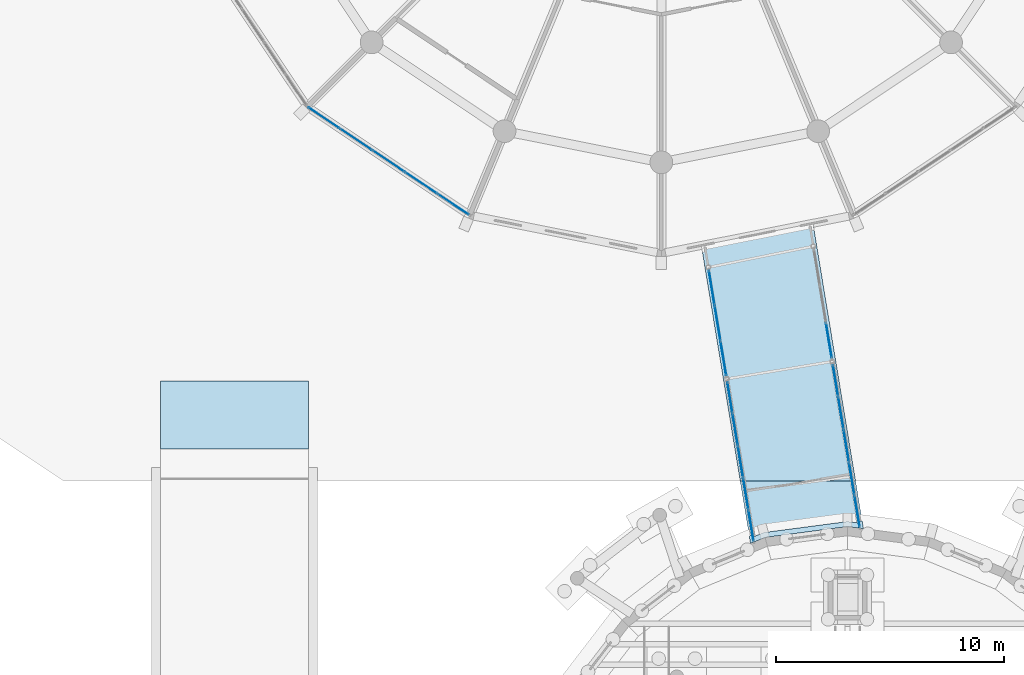
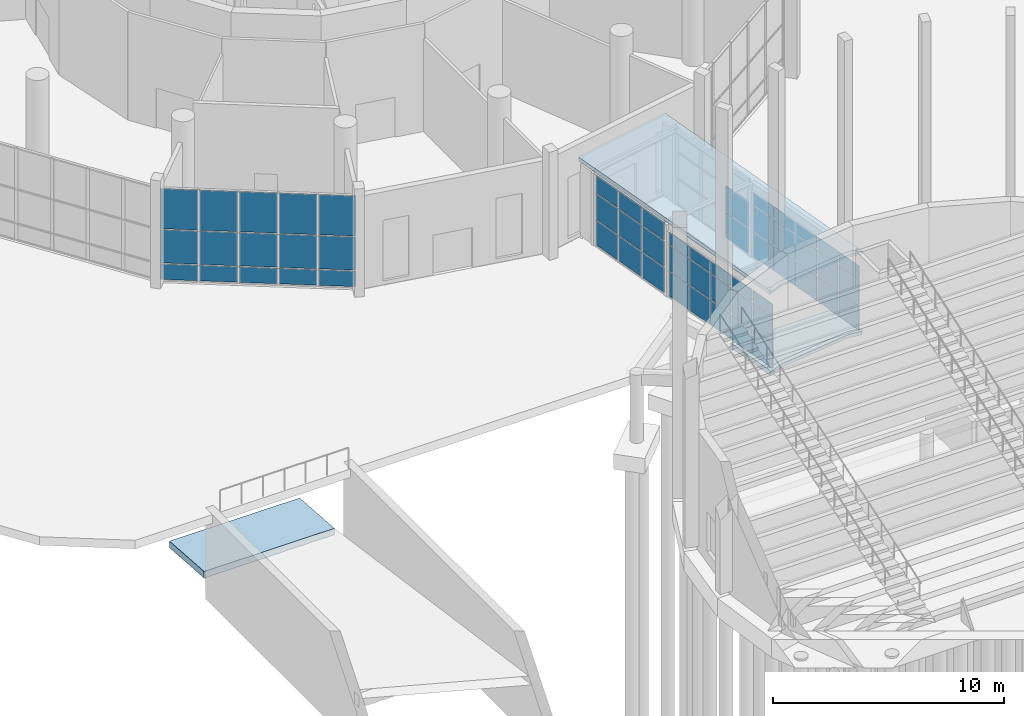
# One storey, part 129 of 226: 58 plates, 3 slabs, 5 elements without a shape of their own.
"""IFC4 building model written with IfcOpenShell, lengths in metres."""

from ifc_helpers import new_model, si_unit, direction, frame, origin, origin_2d, place, context, subcontext, project, spatial, polyline, rectangle, outline, extrude, material, layer, layer_set, type_object, element, aggregate, save


model = new_model("IFC4")

# Units and contexts
model_context = context("Model", 3, precision=1e-05, world=origin(), true_north=direction((0.0, 1.0)))
body_context = subcontext(model_context, "Body", "Model", "MODEL_VIEW")
ifc_project = project(units=[si_unit("LENGTHUNIT", "METRE"), si_unit("AREAUNIT", "SQUARE_METRE"), si_unit("VOLUMEUNIT", "CUBIC_METRE"), si_unit("PLANEANGLEUNIT", "RADIAN"), si_unit("MASSUNIT", "GRAM", prefix="KILO")], contexts=[model_context])

# Site, building, storey
site_placement = place(None, origin())
site = spatial("IfcSite", under=ifc_project, at=site_placement, CompositionType="ELEMENT")
building_placement = place(site_placement, origin())
building = spatial("IfcBuilding", under=site, at=building_placement, Name="Ceibo Conservatory and Research Tower", CompositionType="ELEMENT")
storey_placement = place(building_placement, origin())
storey = spatial("IfcBuildingStorey", under=building, at=storey_placement, Name="L00", CompositionType="ELEMENT", Elevation=0.0)

# Curtain wall, plates
ifc_material_1 = material(Name="Aluminium and glass", Category="aluminium")
curtain_wall_type_1 = type_object("IfcCurtainWallType", Name="Gallery curtain wall", PredefinedType="NOTDEFINED", material=ifc_material_1)
curtain_wall_1_placement = place(storey_placement, origin())
curtain_wall_1 = element("IfcCurtainWall", 1, at=curtain_wall_1_placement, inside=storey, type_object=curtain_wall_type_1, Name="Gallery curtain wall RT-AUD-CWN01", PredefinedType="NOTDEFINED")
ifc_material_2 = material(Name="Laminated glass", Category="glass")
ifc_layer_1 = layer(ifc_material_2, 0.028076171875)
ifc_layer_set_1 = layer_set([ifc_layer_1], Name="Laminated glass")
plate_type_1 = type_object("IfcPlateType", Name="Gallery glass 28", PredefinedType="CURTAIN_PANEL", material=ifc_layer_set_1)
plate_1_placement = place(storey_placement, frame((55.36083984375, 94.1767578125, 0.06005859375), z_axis=(0.0, 0.0, 1.0), x_axis=(0.162895430671, -0.986643339139, 0.0)))
plate_1 = element("IfcPlate", 2, at=plate_1_placement, type_object=plate_type_1, Name="RT-AUD-CWN01 panel 3.1", PredefinedType="CURTAIN_PANEL", context=body_context, shape_type="SweptSolid", body=[
    extrude(rectangle(XDim=1.551513671875, YDim=0.028076171875, at=origin_2d()), origin(), (0.0, 0.0, 1.0), 1.31005859375),
])
plate_2_placement = place(storey_placement, frame((55.36083984375, 94.1767578125, 1.43017578125), z_axis=(0.0, 0.0, 1.0), x_axis=(0.162895430671, -0.986643339139, 0.0)))
plate_2 = element("IfcPlate", 3, at=plate_2_placement, type_object=plate_type_1, Name="RT-AUD-CWN01 panel 3.2", PredefinedType="CURTAIN_PANEL", context=body_context, shape_type="SweptSolid", body=[
    extrude(rectangle(XDim=1.551513671875, YDim=0.028076171875, at=origin_2d()), origin(), (0.0, 0.0, 1.0), 1.340087890625),
])
aggregate(curtain_wall_1, [plate_1, plate_2])

curtain_wall_2_placement = place(storey_placement, origin())
curtain_wall_2 = element("IfcCurtainWall", 4, at=curtain_wall_2_placement, inside=storey, type_object=curtain_wall_type_1, Name="Gallery curtain wall RT-AUD-CWN02", PredefinedType="NOTDEFINED")
plate_3_placement = place(storey_placement, frame((55.651123046875, 92.41748046875, 0.06005859375), z_axis=(0.0, 0.0, 1.0), x_axis=(0.162895430671, -0.986643339139, 0.0)))
plate_3 = element("IfcPlate", 5, at=plate_3_placement, type_object=plate_type_1, Name="RT-AUD-CWN02 panel 1.1", PredefinedType="CURTAIN_PANEL", context=body_context, shape_type="SweptSolid", body=[
    extrude(rectangle(XDim=1.374755859375, YDim=0.028076171875, at=origin_2d()), origin(), (0.0, 0.0, 1.0), 1.31005859375),
])
plate_4_placement = place(storey_placement, frame((55.651123046875, 92.41748046875, 1.43017578125), z_axis=(0.0, 0.0, 1.0), x_axis=(0.162895430671, -0.986643339139, 0.0)))
plate_4 = element("IfcPlate", 6, at=plate_4_placement, type_object=plate_type_1, Name="RT-AUD-CWN02 panel 1.2", PredefinedType="CURTAIN_PANEL", context=body_context, shape_type="SweptSolid", body=[
    extrude(rectangle(XDim=1.374755859375, YDim=0.028076171875, at=origin_2d()), origin(), (0.0, 0.0, 1.0), 1.340087890625),
])
plate_5_placement = place(storey_placement, frame((55.651123046875, 92.41748046875, 2.830078125), z_axis=(0.0, 0.0, 1.0), x_axis=(0.162895430671, -0.986643339139, 0.0)))
plate_5 = element("IfcPlate", 7, at=plate_5_placement, type_object=plate_type_1, Name="RT-AUD-CWN02 panel 1.3", PredefinedType="CURTAIN_PANEL", context=body_context, shape_type="SweptSolid", body=[
    extrude(rectangle(XDim=1.374755859375, YDim=0.028076171875, at=origin_2d()), origin(), (0.0, 0.0, 1.0), 0.610107421875),
])
plate_6_placement = place(storey_placement, frame((55.887451171875, 90.987060546875, 0.06005859375), z_axis=(0.0, 0.0, 1.0), x_axis=(0.162895430671, -0.986643339139, 0.0)))
plate_6 = element("IfcPlate", 8, at=plate_6_placement, type_object=plate_type_1, Name="RT-AUD-CWN02 panel 2.1", PredefinedType="CURTAIN_PANEL", context=body_context, shape_type="SweptSolid", body=[
    extrude(rectangle(XDim=1.40478515625, YDim=0.028076171875, at=origin_2d()), origin(), (0.0, 0.0, 1.0), 1.31005859375),
])
plate_7_placement = place(storey_placement, frame((55.887451171875, 90.987060546875, 1.43017578125), z_axis=(0.0, 0.0, 1.0), x_axis=(0.162895430671, -0.986643339139, 0.0)))
plate_7 = element("IfcPlate", 9, at=plate_7_placement, type_object=plate_type_1, Name="RT-AUD-CWN02 panel 2.2", PredefinedType="CURTAIN_PANEL", context=body_context, shape_type="SweptSolid", body=[
    extrude(rectangle(XDim=1.40478515625, YDim=0.028076171875, at=origin_2d()), origin(), (0.0, 0.0, 1.0), 1.340087890625),
])
plate_8_placement = place(storey_placement, frame((55.887451171875, 90.987060546875, 2.830078125), z_axis=(0.0, 0.0, 1.0), x_axis=(0.162895430671, -0.986643339139, 0.0)))
plate_8 = element("IfcPlate", 10, at=plate_8_placement, type_object=plate_type_1, Name="RT-AUD-CWN02 panel 2.3", PredefinedType="CURTAIN_PANEL", context=body_context, shape_type="SweptSolid", body=[
    extrude(rectangle(XDim=1.40478515625, YDim=0.028076171875, at=origin_2d()), origin(), (0.0, 0.0, 1.0), 0.610107421875),
])
plate_9_placement = place(storey_placement, frame((56.1259765625, 89.541748046875, 0.06005859375), z_axis=(0.0, 0.0, 1.0), x_axis=(0.162895430671, -0.986643339139, 0.0)))
plate_9 = element("IfcPlate", 11, at=plate_9_placement, type_object=plate_type_1, Name="RT-AUD-CWN02 panel 3.1", PredefinedType="CURTAIN_PANEL", context=body_context, shape_type="SweptSolid", body=[
    extrude(rectangle(XDim=1.40478515625, YDim=0.028076171875, at=origin_2d()), origin(), (0.0, 0.0, 1.0), 1.31005859375),
])
plate_10_placement = place(storey_placement, frame((56.1259765625, 89.541748046875, 1.43017578125), z_axis=(0.0, 0.0, 1.0), x_axis=(0.162895430671, -0.986643339139, 0.0)))
plate_10 = element("IfcPlate", 12, at=plate_10_placement, type_object=plate_type_1, Name="RT-AUD-CWN02 panel 3.2", PredefinedType="CURTAIN_PANEL", context=body_context, shape_type="SweptSolid", body=[
    extrude(rectangle(XDim=1.40478515625, YDim=0.028076171875, at=origin_2d()), origin(), (0.0, 0.0, 1.0), 1.340087890625),
])
plate_11_placement = place(storey_placement, frame((56.1259765625, 89.541748046875, 2.830078125), z_axis=(0.0, 0.0, 1.0), x_axis=(0.162895430671, -0.986643339139, 0.0)))
plate_11 = element("IfcPlate", 13, at=plate_11_placement, type_object=plate_type_1, Name="RT-AUD-CWN02 panel 3.3", PredefinedType="CURTAIN_PANEL", context=body_context, shape_type="SweptSolid", body=[
    extrude(rectangle(XDim=1.40478515625, YDim=0.028076171875, at=origin_2d()), origin(), (0.0, 0.0, 1.0), 0.610107421875),
])
plate_12_placement = place(storey_placement, frame((56.36474609375, 88.096435546875, 0.06005859375), z_axis=(0.0, 0.0, 1.0), x_axis=(0.162895430671, -0.986643339139, 0.0)))
plate_12 = element("IfcPlate", 14, at=plate_12_placement, type_object=plate_type_1, Name="RT-AUD-CWN02 panel 4.1", PredefinedType="CURTAIN_PANEL", context=body_context, shape_type="SweptSolid", body=[
    extrude(rectangle(XDim=1.40478515625, YDim=0.028076171875, at=origin_2d()), origin(), (0.0, 0.0, 1.0), 1.31005859375),
])
plate_13_placement = place(storey_placement, frame((56.36474609375, 88.096435546875, 1.43017578125), z_axis=(0.0, 0.0, 1.0), x_axis=(0.162895430671, -0.986643339139, 0.0)))
plate_13 = element("IfcPlate", 15, at=plate_13_placement, type_object=plate_type_1, Name="RT-AUD-CWN02 panel 4.2", PredefinedType="CURTAIN_PANEL", context=body_context, shape_type="SweptSolid", body=[
    extrude(rectangle(XDim=1.40478515625, YDim=0.028076171875, at=origin_2d()), origin(), (0.0, 0.0, 1.0), 1.340087890625),
])
plate_14_placement = place(storey_placement, frame((56.36474609375, 88.096435546875, 2.830078125), z_axis=(0.0, 0.0, 1.0), x_axis=(0.162895430671, -0.986643339139, 0.0)))
plate_14 = element("IfcPlate", 16, at=plate_14_placement, type_object=plate_type_1, Name="RT-AUD-CWN02 panel 4.3", PredefinedType="CURTAIN_PANEL", context=body_context, shape_type="SweptSolid", body=[
    extrude(rectangle(XDim=1.40478515625, YDim=0.028076171875, at=origin_2d()), origin(), (0.0, 0.0, 1.0), 0.610107421875),
])
plate_15_placement = place(storey_placement, frame((56.600830078125, 86.666015625, 0.06005859375), z_axis=(0.0, 0.0, 1.0), x_axis=(0.162895430671, -0.986643339139, 0.0)))
plate_15 = element("IfcPlate", 17, at=plate_15_placement, type_object=plate_type_1, Name="RT-AUD-CWN02 panel 5.1", PredefinedType="CURTAIN_PANEL", context=body_context, shape_type="SweptSolid", body=[
    extrude(rectangle(XDim=1.374755859375, YDim=0.028076171875, at=origin_2d()), origin(), (0.0, 0.0, 1.0), 1.31005859375),
])
plate_16_placement = place(storey_placement, frame((56.600830078125, 86.666015625, 1.43017578125), z_axis=(0.0, 0.0, 1.0), x_axis=(0.162895430671, -0.986643339139, 0.0)))
plate_16 = element("IfcPlate", 18, at=plate_16_placement, type_object=plate_type_1, Name="RT-AUD-CWN02 panel 5.2", PredefinedType="CURTAIN_PANEL", context=body_context, shape_type="SweptSolid", body=[
    extrude(rectangle(XDim=1.374755859375, YDim=0.028076171875, at=origin_2d()), origin(), (0.0, 0.0, 1.0), 1.340087890625),
])
plate_17_placement = place(storey_placement, frame((56.600830078125, 86.666015625, 2.830078125), z_axis=(0.0, 0.0, 1.0), x_axis=(0.162895430671, -0.986643339139, 0.0)))
plate_17 = element("IfcPlate", 19, at=plate_17_placement, type_object=plate_type_1, Name="RT-AUD-CWN02 panel 5.3", PredefinedType="CURTAIN_PANEL", context=body_context, shape_type="SweptSolid", body=[
    extrude(rectangle(XDim=1.374755859375, YDim=0.028076171875, at=origin_2d()), origin(), (0.0, 0.0, 1.0), 0.610107421875),
])
aggregate(curtain_wall_2, [plate_3, plate_4, plate_5, plate_6, plate_7, plate_8, plate_9, plate_10, plate_11, plate_12, plate_13, plate_14, plate_15, plate_16, plate_17])

curtain_wall_3_placement = place(storey_placement, origin())
curtain_wall_3 = element("IfcCurtainWall", 20, at=curtain_wall_3_placement, inside=storey, type_object=curtain_wall_type_1, Name="Gallery curtain wall RT-AUD-CWS01", PredefinedType="NOTDEFINED")
plate_18_placement = place(storey_placement, frame((50.214599609375, 96.494384765625, 0.06005859375), z_axis=(0.0, 0.0, 1.0), x_axis=(0.162895430671, -0.986643339139, 0.0)))
plate_18 = element("IfcPlate", 21, at=plate_18_placement, type_object=plate_type_1, Name="RT-AUD-CWS01 panel 1.1", PredefinedType="CURTAIN_PANEL", context=body_context, shape_type="SweptSolid", body=[
    extrude(rectangle(XDim=1.499755859375, YDim=0.028076171875, at=origin_2d()), origin(), (0.0, 0.0, 1.0), 1.31005859375),
])
plate_19_placement = place(storey_placement, frame((50.214599609375, 96.494384765625, 1.43017578125), z_axis=(0.0, 0.0, 1.0), x_axis=(0.162895430671, -0.986643339139, 0.0)))
plate_19 = element("IfcPlate", 22, at=plate_19_placement, type_object=plate_type_1, Name="RT-AUD-CWS01 panel 1.2", PredefinedType="CURTAIN_PANEL", context=body_context, shape_type="SweptSolid", body=[
    extrude(rectangle(XDim=1.499755859375, YDim=0.028076171875, at=origin_2d()), origin(), (0.0, 0.0, 1.0), 1.340087890625),
])
plate_20_placement = place(storey_placement, frame((50.214599609375, 96.494384765625, 2.830078125), z_axis=(0.0, 0.0, 1.0), x_axis=(0.162895430671, -0.986643339139, 0.0)))
plate_20 = element("IfcPlate", 23, at=plate_20_placement, type_object=plate_type_1, Name="RT-AUD-CWS01 panel 1.3", PredefinedType="CURTAIN_PANEL", context=body_context, shape_type="SweptSolid", body=[
    extrude(rectangle(XDim=1.499755859375, YDim=0.028076171875, at=origin_2d()), origin(), (0.0, 0.0, 1.0), 0.909912109375),
])
plate_21_placement = place(storey_placement, frame((50.470947265625, 94.940673828125, 0.06005859375), z_axis=(0.0, 0.0, 1.0), x_axis=(0.162895430671, -0.986643339139, 0.0)))
plate_21 = element("IfcPlate", 24, at=plate_21_placement, type_object=plate_type_1, Name="RT-AUD-CWS01 panel 2.1", PredefinedType="CURTAIN_PANEL", context=body_context, shape_type="SweptSolid", body=[
    extrude(rectangle(XDim=1.52978515625, YDim=0.028076171875, at=origin_2d()), origin(), (0.0, 0.0, 1.0), 1.31005859375),
])
plate_22_placement = place(storey_placement, frame((50.470947265625, 94.940673828125, 1.43017578125), z_axis=(0.0, 0.0, 1.0), x_axis=(0.162895430671, -0.986643339139, 0.0)))
plate_22 = element("IfcPlate", 25, at=plate_22_placement, type_object=plate_type_1, Name="RT-AUD-CWS01 panel 2.2", PredefinedType="CURTAIN_PANEL", context=body_context, shape_type="SweptSolid", body=[
    extrude(rectangle(XDim=1.52978515625, YDim=0.028076171875, at=origin_2d()), origin(), (0.0, 0.0, 1.0), 1.340087890625),
])
plate_23_placement = place(storey_placement, frame((50.470947265625, 94.940673828125, 2.830078125), z_axis=(0.0, 0.0, 1.0), x_axis=(0.162895430671, -0.986643339139, 0.0)))
plate_23 = element("IfcPlate", 26, at=plate_23_placement, type_object=plate_type_1, Name="RT-AUD-CWS01 panel 2.3", PredefinedType="CURTAIN_PANEL", context=body_context, shape_type="SweptSolid", body=[
    extrude(rectangle(XDim=1.52978515625, YDim=0.028076171875, at=origin_2d()), origin(), (0.0, 0.0, 1.0), 0.909912109375),
])
plate_24_placement = place(storey_placement, frame((50.7275390625, 93.386962890625, 0.06005859375), z_axis=(0.0, 0.0, 1.0), x_axis=(0.162895430671, -0.986643339139, 0.0)))
plate_24 = element("IfcPlate", 27, at=plate_24_placement, type_object=plate_type_1, Name="RT-AUD-CWS01 panel 3.1", PredefinedType="CURTAIN_PANEL", context=body_context, shape_type="SweptSolid", body=[
    extrude(rectangle(XDim=1.499755859375, YDim=0.028076171875, at=origin_2d()), origin(), (0.0, 0.0, 1.0), 1.31005859375),
])
plate_25_placement = place(storey_placement, frame((50.7275390625, 93.386962890625, 1.43017578125), z_axis=(0.0, 0.0, 1.0), x_axis=(0.162895430671, -0.986643339139, 0.0)))
plate_25 = element("IfcPlate", 28, at=plate_25_placement, type_object=plate_type_1, Name="RT-AUD-CWS01 panel 3.2", PredefinedType="CURTAIN_PANEL", context=body_context, shape_type="SweptSolid", body=[
    extrude(rectangle(XDim=1.499755859375, YDim=0.028076171875, at=origin_2d()), origin(), (0.0, 0.0, 1.0), 1.340087890625),
])
plate_26_placement = place(storey_placement, frame((50.7275390625, 93.386962890625, 2.830078125), z_axis=(0.0, 0.0, 1.0), x_axis=(0.162895430671, -0.986643339139, 0.0)))
plate_26 = element("IfcPlate", 29, at=plate_26_placement, type_object=plate_type_1, Name="RT-AUD-CWS01 panel 3.3", PredefinedType="CURTAIN_PANEL", context=body_context, shape_type="SweptSolid", body=[
    extrude(rectangle(XDim=1.499755859375, YDim=0.028076171875, at=origin_2d()), origin(), (0.0, 0.0, 1.0), 0.909912109375),
])
aggregate(curtain_wall_3, [plate_18, plate_19, plate_20, plate_21, plate_22, plate_23, plate_24, plate_25, plate_26])

curtain_wall_4_placement = place(storey_placement, origin())
curtain_wall_4 = element("IfcCurtainWall", 30, at=curtain_wall_4_placement, inside=storey, type_object=curtain_wall_type_1, Name="Gallery curtain wall RT-AUD-CWS02", PredefinedType="NOTDEFINED")
plate_27_placement = place(storey_placement, frame((51.01123046875, 91.66845703125, 0.06005859375), z_axis=(0.0, 0.0, 1.0), x_axis=(0.162895430671, -0.986643339139, 0.0)))
plate_27 = element("IfcPlate", 31, at=plate_27_placement, type_object=plate_type_1, Name="RT-AUD-CWS02 panel 1.1", PredefinedType="CURTAIN_PANEL", context=body_context, shape_type="SweptSolid", body=[
    extrude(rectangle(XDim=1.34375, YDim=0.028076171875, at=origin_2d()), origin(), (0.0, 0.0, 1.0), 1.31005859375),
])
plate_28_placement = place(storey_placement, frame((51.01123046875, 91.66845703125, 1.43017578125), z_axis=(0.0, 0.0, 1.0), x_axis=(0.162895430671, -0.986643339139, 0.0)))
plate_28 = element("IfcPlate", 32, at=plate_28_placement, type_object=plate_type_1, Name="RT-AUD-CWS02 panel 1.2", PredefinedType="CURTAIN_PANEL", context=body_context, shape_type="SweptSolid", body=[
    extrude(rectangle(XDim=1.34375, YDim=0.028076171875, at=origin_2d()), origin(), (0.0, 0.0, 1.0), 1.340087890625),
])
plate_29_placement = place(storey_placement, frame((51.01123046875, 91.66845703125, 2.830078125), z_axis=(0.0, 0.0, 1.0), x_axis=(0.162895430671, -0.986643339139, 0.0)))
plate_29 = element("IfcPlate", 33, at=plate_29_placement, type_object=plate_type_1, Name="RT-AUD-CWS02 panel 1.3", PredefinedType="CURTAIN_PANEL", context=body_context, shape_type="SweptSolid", body=[
    extrude(rectangle(XDim=1.34375, YDim=0.028076171875, at=origin_2d()), origin(), (0.0, 0.0, 1.0), 0.610107421875),
])
plate_30_placement = place(storey_placement, frame((51.242431640625, 90.2685546875, 0.06005859375), z_axis=(0.0, 0.0, 1.0), x_axis=(0.162895430671, -0.986643339139, 0.0)))
plate_30 = element("IfcPlate", 34, at=plate_30_placement, type_object=plate_type_1, Name="RT-AUD-CWS02 panel 2.1", PredefinedType="CURTAIN_PANEL", context=body_context, shape_type="SweptSolid", body=[
    extrude(rectangle(XDim=1.373779296875, YDim=0.028076171875, at=origin_2d()), origin(), (0.0, 0.0, 1.0), 1.31005859375),
])
plate_31_placement = place(storey_placement, frame((51.242431640625, 90.2685546875, 1.43017578125), z_axis=(0.0, 0.0, 1.0), x_axis=(0.162895430671, -0.986643339139, 0.0)))
plate_31 = element("IfcPlate", 35, at=plate_31_placement, type_object=plate_type_1, Name="RT-AUD-CWS02 panel 2.2", PredefinedType="CURTAIN_PANEL", context=body_context, shape_type="SweptSolid", body=[
    extrude(rectangle(XDim=1.373779296875, YDim=0.028076171875, at=origin_2d()), origin(), (0.0, 0.0, 1.0), 1.340087890625),
])
plate_32_placement = place(storey_placement, frame((51.242431640625, 90.2685546875, 2.830078125), z_axis=(0.0, 0.0, 1.0), x_axis=(0.162895430671, -0.986643339139, 0.0)))
plate_32 = element("IfcPlate", 36, at=plate_32_placement, type_object=plate_type_1, Name="RT-AUD-CWS02 panel 2.3", PredefinedType="CURTAIN_PANEL", context=body_context, shape_type="SweptSolid", body=[
    extrude(rectangle(XDim=1.373779296875, YDim=0.028076171875, at=origin_2d()), origin(), (0.0, 0.0, 1.0), 0.610107421875),
])
plate_33_placement = place(storey_placement, frame((51.47607421875, 88.85400390625, 0.06005859375), z_axis=(0.0, 0.0, 1.0), x_axis=(0.162895430671, -0.986643339139, 0.0)))
plate_33 = element("IfcPlate", 37, at=plate_33_placement, type_object=plate_type_1, Name="RT-AUD-CWS02 panel 3.1", PredefinedType="CURTAIN_PANEL", context=body_context, shape_type="SweptSolid", body=[
    extrude(rectangle(XDim=1.373779296875, YDim=0.028076171875, at=origin_2d()), origin(), (0.0, 0.0, 1.0), 1.31005859375),
])
plate_34_placement = place(storey_placement, frame((51.47607421875, 88.85400390625, 1.43017578125), z_axis=(0.0, 0.0, 1.0), x_axis=(0.162895430671, -0.986643339139, 0.0)))
plate_34 = element("IfcPlate", 38, at=plate_34_placement, type_object=plate_type_1, Name="RT-AUD-CWS02 panel 3.2", PredefinedType="CURTAIN_PANEL", context=body_context, shape_type="SweptSolid", body=[
    extrude(rectangle(XDim=1.373779296875, YDim=0.028076171875, at=origin_2d()), origin(), (0.0, 0.0, 1.0), 1.340087890625),
])
plate_35_placement = place(storey_placement, frame((51.47607421875, 88.85400390625, 2.830078125), z_axis=(0.0, 0.0, 1.0), x_axis=(0.162895430671, -0.986643339139, 0.0)))
plate_35 = element("IfcPlate", 39, at=plate_35_placement, type_object=plate_type_1, Name="RT-AUD-CWS02 panel 3.3", PredefinedType="CURTAIN_PANEL", context=body_context, shape_type="SweptSolid", body=[
    extrude(rectangle(XDim=1.373779296875, YDim=0.028076171875, at=origin_2d()), origin(), (0.0, 0.0, 1.0), 0.610107421875),
])
plate_36_placement = place(storey_placement, frame((51.70947265625, 87.439208984375, 0.06005859375), z_axis=(0.0, 0.0, 1.0), x_axis=(0.162895430671, -0.986643339139, 0.0)))
plate_36 = element("IfcPlate", 40, at=plate_36_placement, type_object=plate_type_1, Name="RT-AUD-CWS02 panel 4.1", PredefinedType="CURTAIN_PANEL", context=body_context, shape_type="SweptSolid", body=[
    extrude(rectangle(XDim=1.373779296875, YDim=0.028076171875, at=origin_2d()), origin(), (0.0, 0.0, 1.0), 1.31005859375),
])
plate_37_placement = place(storey_placement, frame((51.70947265625, 87.439208984375, 1.43017578125), z_axis=(0.0, 0.0, 1.0), x_axis=(0.162895430671, -0.986643339139, 0.0)))
plate_37 = element("IfcPlate", 41, at=plate_37_placement, type_object=plate_type_1, Name="RT-AUD-CWS02 panel 4.2", PredefinedType="CURTAIN_PANEL", context=body_context, shape_type="SweptSolid", body=[
    extrude(rectangle(XDim=1.373779296875, YDim=0.028076171875, at=origin_2d()), origin(), (0.0, 0.0, 1.0), 1.340087890625),
])
plate_38_placement = place(storey_placement, frame((51.70947265625, 87.439208984375, 2.830078125), z_axis=(0.0, 0.0, 1.0), x_axis=(0.162895430671, -0.986643339139, 0.0)))
plate_38 = element("IfcPlate", 42, at=plate_38_placement, type_object=plate_type_1, Name="RT-AUD-CWS02 panel 4.3", PredefinedType="CURTAIN_PANEL", context=body_context, shape_type="SweptSolid", body=[
    extrude(rectangle(XDim=1.373779296875, YDim=0.028076171875, at=origin_2d()), origin(), (0.0, 0.0, 1.0), 0.610107421875),
])
plate_39_placement = place(storey_placement, frame((51.940673828125, 86.039306640625, 0.06005859375), z_axis=(0.0, 0.0, 1.0), x_axis=(0.162895430671, -0.986643339139, 0.0)))
plate_39 = element("IfcPlate", 43, at=plate_39_placement, type_object=plate_type_1, Name="RT-AUD-CWS02 panel 5.1", PredefinedType="CURTAIN_PANEL", context=body_context, shape_type="SweptSolid", body=[
    extrude(rectangle(XDim=1.34375, YDim=0.028076171875, at=origin_2d()), origin(), (0.0, 0.0, 1.0), 1.31005859375),
])
plate_40_placement = place(storey_placement, frame((51.940673828125, 86.039306640625, 1.43017578125), z_axis=(0.0, 0.0, 1.0), x_axis=(0.162895430671, -0.986643339139, 0.0)))
plate_40 = element("IfcPlate", 44, at=plate_40_placement, type_object=plate_type_1, Name="RT-AUD-CWS02 panel 5.2", PredefinedType="CURTAIN_PANEL", context=body_context, shape_type="SweptSolid", body=[
    extrude(rectangle(XDim=1.34375, YDim=0.028076171875, at=origin_2d()), origin(), (0.0, 0.0, 1.0), 1.340087890625),
])
plate_41_placement = place(storey_placement, frame((51.940673828125, 86.039306640625, 2.830078125), z_axis=(0.0, 0.0, 1.0), x_axis=(0.162895430671, -0.986643339139, 0.0)))
plate_41 = element("IfcPlate", 45, at=plate_41_placement, type_object=plate_type_1, Name="RT-AUD-CWS02 panel 5.3", PredefinedType="CURTAIN_PANEL", context=body_context, shape_type="SweptSolid", body=[
    extrude(rectangle(XDim=1.34375, YDim=0.028076171875, at=origin_2d()), origin(), (0.0, 0.0, 1.0), 0.610107421875),
])
aggregate(curtain_wall_4, [plate_27, plate_28, plate_29, plate_30, plate_31, plate_32, plate_33, plate_34, plate_35, plate_36, plate_37, plate_38, plate_39, plate_40, plate_41])

curtain_wall_type_2 = type_object("IfcCurtainWallType", Name="Curtain wall CW1", PredefinedType="NOTDEFINED", material=ifc_material_1)
curtain_wall_5_placement = place(storey_placement, origin())
curtain_wall_5 = element("IfcCurtainWall", 46, at=curtain_wall_5_placement, inside=storey, type_object=curtain_wall_type_2, Name="CW-00.11", PredefinedType="NOTDEFINED")
ifc_material_3 = material(Name="Glass", Category="glass")
ifc_layer_2 = layer(ifc_material_3, 0.028076171875)
ifc_layer_set_2 = layer_set([ifc_layer_2], Name="Glass")
plate_type_2 = type_object("IfcPlateType", Name="Insulated glass panel 28", PredefinedType="CURTAIN_PANEL", material=ifc_layer_set_2)
plate_42_placement = place(storey_placement, frame((33.169921875, 103.95849609375, 0.06005859375), z_axis=(0.0, 0.0, 1.0), x_axis=(0.831469562724, -0.555570307219, 0.0)))
plate_42 = element("IfcPlate", 47, at=plate_42_placement, type_object=plate_type_2, Name="CW-00.11 panel 1.1", PredefinedType="CURTAIN_PANEL", context=body_context, shape_type="SweptSolid", body=[
    extrude(rectangle(XDim=1.626708984375, YDim=0.028076171875, at=origin_2d()), origin(), (0.0, 0.0, 1.0), 0.81005859375),
])
plate_43_placement = place(storey_placement, frame((33.169921875, 103.95849609375, 0.93017578125), z_axis=(0.0, 0.0, 1.0), x_axis=(0.831469562724, -0.555570307219, 0.0)))
plate_43 = element("IfcPlate", 48, at=plate_43_placement, type_object=plate_type_2, Name="CW-00.11 panel 1.2", PredefinedType="CURTAIN_PANEL", context=body_context, shape_type="SweptSolid", body=[
    extrude(rectangle(XDim=1.626708984375, YDim=0.028076171875, at=origin_2d()), origin(), (0.0, 0.0, 1.0), 1.739990234375),
])
plate_44_placement = place(storey_placement, frame((33.169921875, 103.95849609375, 2.72998046875), z_axis=(0.0, 0.0, 1.0), x_axis=(0.831469562724, -0.555570307219, 0.0)))
plate_44 = element("IfcPlate", 49, at=plate_44_placement, type_object=plate_type_2, Name="CW-00.11 panel 1.3", PredefinedType="CURTAIN_PANEL", context=body_context, shape_type="SweptSolid", body=[
    extrude(rectangle(XDim=1.626708984375, YDim=0.028076171875, at=origin_2d()), origin(), (0.0, 0.0, 1.0), 2.110107421875),
])
plate_45_placement = place(storey_placement, frame((34.5849609375, 103.012939453125, 0.06005859375), z_axis=(0.0, 0.0, 1.0), x_axis=(0.831469562724, -0.555570307219, 0.0)))
plate_45 = element("IfcPlate", 50, at=plate_45_placement, type_object=plate_type_2, Name="CW-00.11 panel 2.1", PredefinedType="CURTAIN_PANEL", context=body_context, shape_type="SweptSolid", body=[
    extrude(rectangle(XDim=1.65673828125, YDim=0.028076171875, at=origin_2d()), origin(), (0.0, 0.0, 1.0), 0.81005859375),
])
plate_46_placement = place(storey_placement, frame((34.5849609375, 103.012939453125, 0.93017578125), z_axis=(0.0, 0.0, 1.0), x_axis=(0.831469562724, -0.555570307219, 0.0)))
plate_46 = element("IfcPlate", 51, at=plate_46_placement, type_object=plate_type_2, Name="CW-00.11 panel 2.2", PredefinedType="CURTAIN_PANEL", context=body_context, shape_type="SweptSolid", body=[
    extrude(rectangle(XDim=1.65673828125, YDim=0.028076171875, at=origin_2d()), origin(), (0.0, 0.0, 1.0), 1.739990234375),
])
plate_47_placement = place(storey_placement, frame((34.5849609375, 103.012939453125, 2.72998046875), z_axis=(0.0, 0.0, 1.0), x_axis=(0.831469562724, -0.555570307219, 0.0)))
plate_47 = element("IfcPlate", 52, at=plate_47_placement, type_object=plate_type_2, Name="CW-00.11 panel 2.3", PredefinedType="CURTAIN_PANEL", context=body_context, shape_type="SweptSolid", body=[
    extrude(rectangle(XDim=1.65673828125, YDim=0.028076171875, at=origin_2d()), origin(), (0.0, 0.0, 1.0), 2.110107421875),
])
plate_48_placement = place(storey_placement, frame((36.01220703125, 102.05908203125, 0.06005859375), z_axis=(0.0, 0.0, 1.0), x_axis=(0.831469562724, -0.555570307219, 0.0)))
plate_48 = element("IfcPlate", 53, at=plate_48_placement, type_object=plate_type_2, Name="CW-00.11 panel 3.1", PredefinedType="CURTAIN_PANEL", context=body_context, shape_type="SweptSolid", body=[
    extrude(rectangle(XDim=1.65673828125, YDim=0.028076171875, at=origin_2d()), origin(), (0.0, 0.0, 1.0), 0.81005859375),
])
plate_49_placement = place(storey_placement, frame((36.01220703125, 102.05908203125, 0.93017578125), z_axis=(0.0, 0.0, 1.0), x_axis=(0.831469562724, -0.555570307219, 0.0)))
plate_49 = element("IfcPlate", 54, at=plate_49_placement, type_object=plate_type_2, Name="CW-00.11 panel 3.2", PredefinedType="CURTAIN_PANEL", context=body_context, shape_type="SweptSolid", body=[
    extrude(rectangle(XDim=1.65673828125, YDim=0.028076171875, at=origin_2d()), origin(), (0.0, 0.0, 1.0), 1.739990234375),
])
plate_50_placement = place(storey_placement, frame((36.01220703125, 102.05908203125, 2.72998046875), z_axis=(0.0, 0.0, 1.0), x_axis=(0.831469562724, -0.555570307219, 0.0)))
plate_50 = element("IfcPlate", 55, at=plate_50_placement, type_object=plate_type_2, Name="CW-00.11 panel 3.3", PredefinedType="CURTAIN_PANEL", context=body_context, shape_type="SweptSolid", body=[
    extrude(rectangle(XDim=1.65673828125, YDim=0.028076171875, at=origin_2d()), origin(), (0.0, 0.0, 1.0), 2.110107421875),
])
plate_51_placement = place(storey_placement, frame((37.439697265625, 101.10546875, 0.06005859375), z_axis=(0.0, 0.0, 1.0), x_axis=(0.831469562724, -0.555570307219, 0.0)))
plate_51 = element("IfcPlate", 56, at=plate_51_placement, type_object=plate_type_2, Name="CW-00.11 panel 4.1", PredefinedType="CURTAIN_PANEL", context=body_context, shape_type="SweptSolid", body=[
    extrude(rectangle(XDim=1.65673828125, YDim=0.028076171875, at=origin_2d()), origin(), (0.0, 0.0, 1.0), 0.81005859375),
])
plate_52_placement = place(storey_placement, frame((37.439697265625, 101.10546875, 0.93017578125), z_axis=(0.0, 0.0, 1.0), x_axis=(0.831469562724, -0.555570307219, 0.0)))
plate_52 = element("IfcPlate", 57, at=plate_52_placement, type_object=plate_type_2, Name="CW-00.11 panel 4.2", PredefinedType="CURTAIN_PANEL", context=body_context, shape_type="SweptSolid", body=[
    extrude(rectangle(XDim=1.65673828125, YDim=0.028076171875, at=origin_2d()), origin(), (0.0, 0.0, 1.0), 1.739990234375),
])
plate_53_placement = place(storey_placement, frame((37.439697265625, 101.10546875, 2.72998046875), z_axis=(0.0, 0.0, 1.0), x_axis=(0.831469562724, -0.555570307219, 0.0)))
plate_53 = element("IfcPlate", 58, at=plate_53_placement, type_object=plate_type_2, Name="CW-00.11 panel 4.3", PredefinedType="CURTAIN_PANEL", context=body_context, shape_type="SweptSolid", body=[
    extrude(rectangle(XDim=1.65673828125, YDim=0.028076171875, at=origin_2d()), origin(), (0.0, 0.0, 1.0), 2.110107421875),
])
plate_54_placement = place(storey_placement, frame((38.854736328125, 100.159912109375, 0.06005859375), z_axis=(0.0, 0.0, 1.0), x_axis=(0.831469562724, -0.555570307219, 0.0)))
plate_54 = element("IfcPlate", 59, at=plate_54_placement, type_object=plate_type_2, Name="CW-00.11 panel 5.1", PredefinedType="CURTAIN_PANEL", context=body_context, shape_type="SweptSolid", body=[
    extrude(rectangle(XDim=1.626708984375, YDim=0.028076171875, at=origin_2d()), origin(), (0.0, 0.0, 1.0), 0.81005859375),
])
plate_55_placement = place(storey_placement, frame((38.854736328125, 100.159912109375, 0.93017578125), z_axis=(0.0, 0.0, 1.0), x_axis=(0.831469562724, -0.555570307219, 0.0)))
plate_55 = element("IfcPlate", 60, at=plate_55_placement, type_object=plate_type_2, Name="CW-00.11 panel 5.2", PredefinedType="CURTAIN_PANEL", context=body_context, shape_type="SweptSolid", body=[
    extrude(rectangle(XDim=1.626708984375, YDim=0.028076171875, at=origin_2d()), origin(), (0.0, 0.0, 1.0), 1.739990234375),
])
plate_56_placement = place(storey_placement, frame((38.854736328125, 100.159912109375, 2.72998046875), z_axis=(0.0, 0.0, 1.0), x_axis=(0.831469562724, -0.555570307219, 0.0)))
plate_56 = element("IfcPlate", 61, at=plate_56_placement, type_object=plate_type_2, Name="CW-00.11 panel 5.3", PredefinedType="CURTAIN_PANEL", context=body_context, shape_type="SweptSolid", body=[
    extrude(rectangle(XDim=1.626708984375, YDim=0.028076171875, at=origin_2d()), origin(), (0.0, 0.0, 1.0), 2.110107421875),
])
aggregate(curtain_wall_5, [plate_42, plate_43, plate_44, plate_45, plate_46, plate_47, plate_48, plate_49, plate_50, plate_51, plate_52, plate_53, plate_54, plate_55, plate_56])

# Plates
ifc_material_4 = material(Name="Stainless steel AISI 316", Category="steel")
ifc_layer_3 = layer(ifc_material_4, 0.010009765625)
ifc_layer_set_3 = layer_set([ifc_layer_3], Name="Stainless steel AISI 316")
plate_type_3 = type_object("IfcPlateType", Name="Movement joint floor cover plate 10", PredefinedType="SHEET", material=ifc_layer_set_3)
plate_57_placement = place(storey_placement, origin())
element("IfcPlate", 62, at=plate_57_placement, inside=storey, type_object=plate_type_3, Name="Movement joint cover floor RT-AUD-JF02", PredefinedType="SHEET", context=body_context, shape_type="SweptSolid", body=[
    extrude(outline(polyline([(56.18017578125, 86.0), (52.556640625, 85.52294921875), (51.91748046875, 85.25830078125), (51.864013671875, 85.58251953125), (51.977783203125, 85.629638671875), (51.99462890625, 85.5283203125), (52.484619140625, 85.731201171875), (52.514892578125, 85.739501953125), (56.1748046875, 86.220703125), (56.71630859375, 86.1513671875), (56.69921875, 86.25439453125), (56.823486328125, 86.238037109375), (56.8779296875, 85.908203125), (56.18017578125, 86.0)])), origin(), (0.0, 0.0, 1.0), 0.010009765625),
])
ifc_layer_4 = layer(ifc_material_4, 0.010009765625)
ifc_layer_set_4 = layer_set([ifc_layer_4], Name="Stainless steel AISI 316")
plate_type_4 = type_object("IfcPlateType", Name="Movement joint roof cover plate 10", PredefinedType="SHEET", material=ifc_layer_set_4)
plate_58_placement = place(storey_placement, frame((0.0, 0.0, 4.199951171875)))
element("IfcPlate", 63, at=plate_58_placement, inside=storey, type_object=plate_type_4, Name="Movement joint cover roof RT-AUD-JR02", PredefinedType="SHEET", context=body_context, shape_type="SweptSolid", body=[
    extrude(outline(polyline([(56.18017578125, 86.0), (52.556640625, 85.52294921875), (51.91748046875, 85.25830078125), (51.864013671875, 85.58251953125), (51.977783203125, 85.629638671875), (51.99462890625, 85.5283203125), (52.484619140625, 85.731201171875), (52.514892578125, 85.739501953125), (56.1748046875, 86.220703125), (56.71630859375, 86.1513671875), (56.69921875, 86.25439453125), (56.823486328125, 86.238037109375), (56.8779296875, 85.908203125), (56.18017578125, 86.0)])), origin(), (0.0, 0.0, 1.0), 0.010009765625),
])

# Slabs
ifc_material_5 = material(Name="Concrete C35/45", Category="concrete")
ifc_layer_5 = layer(ifc_material_5, 0.25)
ifc_layer_set_5 = layer_set([ifc_layer_5], Name="Concrete C35/45")
slab_type_1 = type_object("IfcSlabType", Name="RC gallery floor slab 250", PredefinedType="BASESLAB", material=ifc_layer_set_5)
slab_1_placement = place(storey_placement, frame((0.0, 0.0, -0.25)))
element("IfcSlab", 64, at=slab_1_placement, inside=storey, type_object=slab_type_1, Name="Gallery floor slab RT-AUD", PredefinedType="BASESLAB", context=body_context, shape_type="SweptSolid", body=[
    extrude(outline(polyline([(52.530517578125, 85.620361328125), (51.90087890625, 85.359619140625), (51.46484375, 88.0), (56.53271484375, 88.0), (56.861083984375, 86.01123046875), (56.18017578125, 86.100830078125), (52.530517578125, 85.620361328125)])), origin(), (0.0, 0.0, 1.0), 0.25),
])
ifc_layer_6 = layer(ifc_material_5, 0.199951171875)
ifc_layer_set_6 = layer_set([ifc_layer_6], Name="Concrete C35/45")
slab_type_2 = type_object("IfcSlabType", Name="RC gallery roof slab 200", PredefinedType="ROOF", material=ifc_layer_set_6)
slab_2_placement = place(storey_placement, frame((0.0, 0.0, 4.0)))
element("IfcSlab", 65, at=slab_2_placement, inside=storey, type_object=slab_type_2, Name="Gallery roof slab RT-AUD", PredefinedType="ROOF", context=body_context, shape_type="SweptSolid", body=[
    extrude(outline(polyline([(56.861083984375, 86.01123046875), (56.18017578125, 86.100830078125), (52.530517578125, 85.620361328125), (51.90087890625, 85.359619140625), (49.7724609375, 98.25048828125), (54.67919921875, 99.2265625), (56.861083984375, 86.01123046875)])), origin(), (0.0, 0.0, 1.0), 0.199951171875),
])
ifc_layer_7 = layer(ifc_material_5, 0.35009765625)
ifc_layer_set_7 = layer_set([ifc_layer_7], Name="Concrete C35/45")
slab_type_3 = type_object("IfcSlabType", Name="RC ramp flight 350", PredefinedType="FLOOR", material=ifc_layer_set_7)
slab_3_placement = place(storey_placement, frame((26.0, 89.39990234375, -3.985595703125), z_axis=(0.0, 0.071270124602, 0.997457051376), x_axis=(1.0, 0.0, 0.0)))
element("IfcSlab", 66, at=slab_3_placement, inside=storey, type_object=slab_type_3, Name="Vehicle ramp carriageway flight 3", PredefinedType="FLOOR", context=body_context, shape_type="SweptSolid", body=[
    extrude(outline(polyline([(0.0, 0.0), (6.5, 0.0), (6.5, 3.0076482950941976), (0.0, 3.0076482950941976), (0.0, 0.0)])), origin(), (0.0, 0.071270124602, -0.997457051376), 0.35009765625),
])

save(model, "model.ifc")
